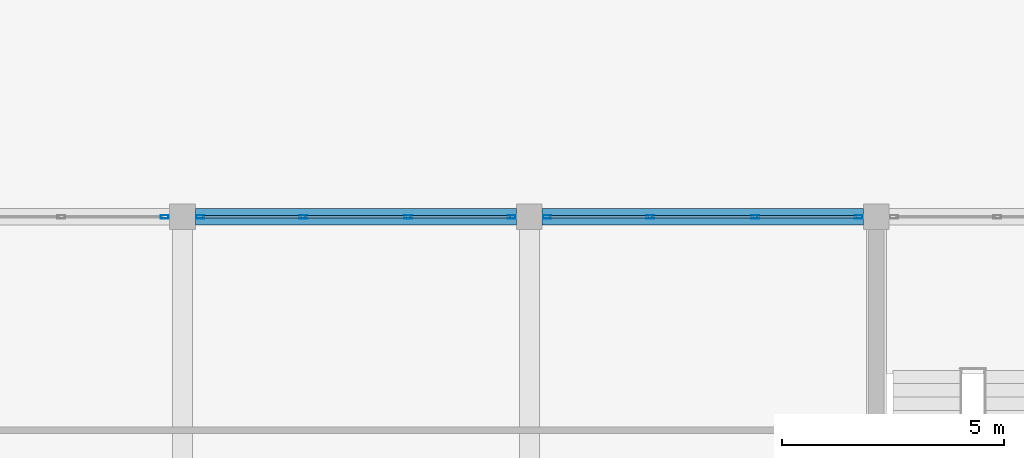
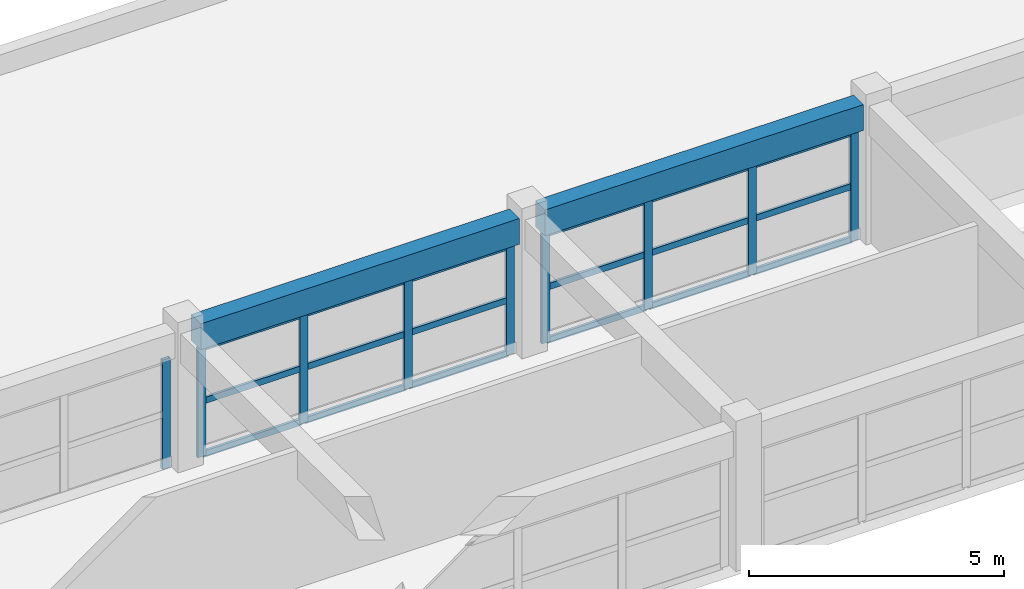
# One storey, part 71 of 101: 27 members, 2 beams, 3 elements without a shape of their own.
"""IFC4 building model written with IfcOpenShell, lengths in metres."""

from ifc_helpers import new_model, si_unit, direction, frame, origin, origin_2d, place, context, subcontext, project, spatial, rectangle, hollow_rectangle, extrude, material, layer, layer_set, material_profile, profile_set, type_object, element, aggregate, save


model = new_model("IFC4")

# Units and contexts
model_context = context("Model", 3, precision=1e-05, world=origin(), true_north=direction((0.0, 1.0)))
body_context = subcontext(model_context, "Body", "Model", "MODEL_VIEW")
ifc_project = project(units=[si_unit("LENGTHUNIT", "METRE"), si_unit("AREAUNIT", "SQUARE_METRE"), si_unit("VOLUMEUNIT", "CUBIC_METRE"), si_unit("PLANEANGLEUNIT", "RADIAN"), si_unit("MASSUNIT", "GRAM", prefix="KILO")], contexts=[model_context])

# Site, building, storey
site_placement = place(None, origin())
site = spatial("IfcSite", under=ifc_project, at=site_placement, CompositionType="ELEMENT")
building_placement = place(site_placement, origin())
building = spatial("IfcBuilding", under=site, at=building_placement, Name="Zizhar Promenade General Hospital", CompositionType="ELEMENT")
storey_placement = place(building_placement, frame((0.0, 0.0, 14.39990234375)))
storey = spatial("IfcBuildingStorey", under=building, at=storey_placement, Name="L03", CompositionType="ELEMENT", Elevation=14.39990234375)

# Beams
ifc_material_1 = material(Name="Concrete C35/45", Category="concrete")
ifc_material_profile_1 = material_profile(ifc_material_1, rectangle(XDim=0.3798828125, YDim=0.6201171875, at=origin_2d()))
ifc_profile_set_1 = profile_set([ifc_material_profile_1], Name="Concrete C35/45")
beam_type = type_object("IfcBeamType", Name="BM-RC-380x620", PredefinedType="JOIST", material=ifc_profile_set_1)
for number, where, z_axis, x_axis, name in (
    (1, (156.2900390625, 100.800048828125, 3.0), (1.0, 0.0, 0.0), (0.0, 1.0, 0.0), "Grid Beam X L03 (20-12)"),
    (2, (164.090087890625, 100.800048828125, 3.0), (1.0, 0.0, 0.0), (0.0, 1.0, 0.0), "Grid Beam X L03 (21-12)"),
):
    element("IfcBeam", number, at=place(storey_placement, frame(where, z_axis=z_axis, x_axis=x_axis)), inside=storey, type_object=beam_type, Name=name, PredefinedType="JOIST", context=body_context, shape_type="SweptSolid", body=[
        extrude(rectangle(XDim=0.3798828125, YDim=0.6201171875, at=origin_2d()), origin(), (0.0, 0.0, 1.0), 7.219970703125),
    ])

# Curtain wall, member
ifc_material_2 = material(Name="Anodised aluminium 6063-T6 and low-E glass", Category="aluminium")
ifc_layer = layer(ifc_material_2, 0.159912109375)
ifc_layer_set = layer_set([ifc_layer], Name="Anodised aluminium 6063-T6 and low-E glass")
curtain_wall_type = type_object("IfcCurtainWallType", Name="CW-CLN-L03", PredefinedType="NOTDEFINED", material=ifc_layer_set)
curtain_wall_1_placement = place(storey_placement, origin())
curtain_wall_1 = element("IfcCurtainWall", 3, at=curtain_wall_1_placement, inside=storey, type_object=curtain_wall_type, Name="L03 Clinic Pavilion North Glazing 19", PredefinedType="NOTDEFINED")
ifc_material_3 = material(Name="Anodised aluminium 6063-T6", Category="aluminium")
ifc_material_profile_2 = material_profile(ifc_material_3, hollow_rectangle(XDim=0.080078125, YDim=0.179931640625, WallThickness=0.0048828125, at=origin_2d()))
ifc_profile_set_2 = profile_set([ifc_material_profile_2], Name="Anodised aluminium 6063-T6")
member_type_1 = type_object("IfcMemberType", Name="CWM-ALU-180x80", PredefinedType="MULLION", material=ifc_profile_set_2)
member_1_placement = place(storey_placement, frame((155.60009765625, 100.800048828125, 0.0), z_axis=(0.0, 0.0, 1.0), x_axis=(0.0, 1.0, 0.0)))
member_1 = element("IfcMember", 4, at=member_1_placement, type_object=member_type_1, Name="CW-11 mullion 4", PredefinedType="MULLION", context=body_context, shape_type="SweptSolid", body=[
    extrude(hollow_rectangle(XDim=0.080078125, YDim=0.179931640625, WallThickness=0.0048828125, at=origin_2d()), origin(), (0.0, 0.0, 1.0), 2.6201171875),
])
aggregate(curtain_wall_1, [member_1])

# Curtain wall, members
curtain_wall_2_placement = place(storey_placement, origin())
curtain_wall_2 = element("IfcCurtainWall", 5, at=curtain_wall_2_placement, inside=storey, type_object=curtain_wall_type, Name="L03 Clinic Pavilion North Glazing 20", PredefinedType="NOTDEFINED")
member_2_placement = place(storey_placement, frame((156.39990234375, 100.800048828125, 0.0), z_axis=(0.0, 0.0, 1.0), x_axis=(0.0, 1.0, 0.0)))
member_2 = element("IfcMember", 6, at=member_2_placement, type_object=member_type_1, Name="CW-11 mullion 1", PredefinedType="MULLION", context=body_context, shape_type="SweptSolid", body=[
    extrude(hollow_rectangle(XDim=0.080078125, YDim=0.179931640625, WallThickness=0.0048828125, at=origin_2d()), origin(), (0.0, 0.0, 1.0), 2.6201171875),
])
member_3_placement = place(storey_placement, frame((158.719970703125, 100.800048828125, 0.0), z_axis=(0.0, 0.0, 1.0), x_axis=(0.0, 1.0, 0.0)))
member_3 = element("IfcMember", 7, at=member_3_placement, type_object=member_type_1, Name="CW-11 mullion 2", PredefinedType="MULLION", context=body_context, shape_type="SweptSolid", body=[
    extrude(hollow_rectangle(XDim=0.080078125, YDim=0.179931640625, WallThickness=0.0048828125, at=origin_2d()), origin(), (0.0, 0.0, 1.0), 2.6201171875),
])
member_4_placement = place(storey_placement, frame((161.080078125, 100.800048828125, 0.0), z_axis=(0.0, 0.0, 1.0), x_axis=(0.0, 1.0, 0.0)))
member_4 = element("IfcMember", 8, at=member_4_placement, type_object=member_type_1, Name="CW-11 mullion 3", PredefinedType="MULLION", context=body_context, shape_type="SweptSolid", body=[
    extrude(hollow_rectangle(XDim=0.080078125, YDim=0.179931640625, WallThickness=0.0048828125, at=origin_2d()), origin(), (0.0, 0.0, 1.0), 2.6201171875),
])
member_5_placement = place(storey_placement, frame((163.39990234375, 100.800048828125, 0.0), z_axis=(0.0, 0.0, 1.0), x_axis=(0.0, 1.0, 0.0)))
member_5 = element("IfcMember", 9, at=member_5_placement, type_object=member_type_1, Name="CW-11 mullion 4", PredefinedType="MULLION", context=body_context, shape_type="SweptSolid", body=[
    extrude(hollow_rectangle(XDim=0.080078125, YDim=0.179931640625, WallThickness=0.0048828125, at=origin_2d()), origin(), (0.0, 0.0, 1.0), 2.6201171875),
])

curtain_wall_3_placement = place(storey_placement, origin())
curtain_wall_3 = element("IfcCurtainWall", 10, at=curtain_wall_3_placement, inside=storey, type_object=curtain_wall_type, Name="L03 Clinic Pavilion North Glazing 21", PredefinedType="NOTDEFINED")
member_6_placement = place(storey_placement, frame((164.199951171875, 100.800048828125, 0.0), z_axis=(0.0, 0.0, 1.0), x_axis=(0.0, 1.0, 0.0)))
member_6 = element("IfcMember", 11, at=member_6_placement, type_object=member_type_1, Name="CW-11 mullion 1", PredefinedType="MULLION", context=body_context, shape_type="SweptSolid", body=[
    extrude(hollow_rectangle(XDim=0.080078125, YDim=0.179931640625, WallThickness=0.0048828125, at=origin_2d()), origin(), (0.0, 0.0, 1.0), 2.6201171875),
])
member_7_placement = place(storey_placement, frame((166.52001953125, 100.800048828125, 0.0), z_axis=(0.0, 0.0, 1.0), x_axis=(0.0, 1.0, 0.0)))
member_7 = element("IfcMember", 12, at=member_7_placement, type_object=member_type_1, Name="CW-11 mullion 2", PredefinedType="MULLION", context=body_context, shape_type="SweptSolid", body=[
    extrude(hollow_rectangle(XDim=0.080078125, YDim=0.179931640625, WallThickness=0.0048828125, at=origin_2d()), origin(), (0.0, 0.0, 1.0), 2.6201171875),
])
member_8_placement = place(storey_placement, frame((168.8798828125, 100.800048828125, 0.0), z_axis=(0.0, 0.0, 1.0), x_axis=(0.0, 1.0, 0.0)))
member_8 = element("IfcMember", 13, at=member_8_placement, type_object=member_type_1, Name="CW-11 mullion 3", PredefinedType="MULLION", context=body_context, shape_type="SweptSolid", body=[
    extrude(hollow_rectangle(XDim=0.080078125, YDim=0.179931640625, WallThickness=0.0048828125, at=origin_2d()), origin(), (0.0, 0.0, 1.0), 2.6201171875),
])
member_9_placement = place(storey_placement, frame((171.199951171875, 100.800048828125, 0.0), z_axis=(0.0, 0.0, 1.0), x_axis=(0.0, 1.0, 0.0)))
member_9 = element("IfcMember", 14, at=member_9_placement, type_object=member_type_1, Name="CW-11 mullion 4", PredefinedType="MULLION", context=body_context, shape_type="SweptSolid", body=[
    extrude(hollow_rectangle(XDim=0.080078125, YDim=0.179931640625, WallThickness=0.0048828125, at=origin_2d()), origin(), (0.0, 0.0, 1.0), 2.6201171875),
])

# Member
ifc_material_4 = material(Name="Anodised aluminium 6063-T6", Category="aluminium")
ifc_material_profile_3 = material_profile(ifc_material_4, hollow_rectangle(XDim=0.06005859375, YDim=0.14990234375, WallThickness=0.00390625, at=origin_2d()))
ifc_profile_set_3 = profile_set([ifc_material_profile_3], Name="Anodised aluminium 6063-T6")
member_type_2 = type_object("IfcMemberType", Name="CWT-ALU-150x60", PredefinedType="USERDEFINED", material=ifc_profile_set_3)
member_10_placement = place(storey_placement, frame((156.43994140625, 100.800048828125, 0.030029296875), z_axis=(1.0, 0.0, 0.0), x_axis=(0.0, 1.0, 0.0)))
member_10 = element("IfcMember", 15, at=member_10_placement, type_object=member_type_2, Name="CW-11 transom 1.1", ObjectType="TRANSOM", PredefinedType="USERDEFINED", context=body_context, shape_type="SweptSolid", body=[
    extrude(hollow_rectangle(XDim=0.06005859375, YDim=0.14990234375, WallThickness=0.00390625, at=origin_2d()), origin(), (0.0, 0.0, 1.0), 2.239990234375),
])

member_11_placement = place(storey_placement, frame((156.43994140625, 100.800048828125, 1.31005859375), z_axis=(1.0, 0.0, 0.0), x_axis=(0.0, 1.0, 0.0)))
member_11 = element("IfcMember", 16, at=member_11_placement, type_object=member_type_2, Name="CW-11 transom 1.2", ObjectType="TRANSOM", PredefinedType="USERDEFINED", context=body_context, shape_type="SweptSolid", body=[
    extrude(hollow_rectangle(XDim=0.06005859375, YDim=0.14990234375, WallThickness=0.00390625, at=origin_2d()), origin(), (0.0, 0.0, 1.0), 2.239990234375),
])

member_12_placement = place(storey_placement, frame((156.43994140625, 100.800048828125, 2.590087890625), z_axis=(1.0, 0.0, 0.0), x_axis=(0.0, 1.0, 0.0)))
member_12 = element("IfcMember", 17, at=member_12_placement, type_object=member_type_2, Name="CW-11 transom 1.3", ObjectType="TRANSOM", PredefinedType="USERDEFINED", context=body_context, shape_type="SweptSolid", body=[
    extrude(hollow_rectangle(XDim=0.06005859375, YDim=0.14990234375, WallThickness=0.00390625, at=origin_2d()), origin(), (0.0, 0.0, 1.0), 2.239990234375),
])

member_13_placement = place(storey_placement, frame((158.760009765625, 100.800048828125, 0.030029296875), z_axis=(1.0, 0.0, 0.0), x_axis=(0.0, 1.0, 0.0)))
member_13 = element("IfcMember", 18, at=member_13_placement, type_object=member_type_2, Name="CW-11 transom 2.1", ObjectType="TRANSOM", PredefinedType="USERDEFINED", context=body_context, shape_type="SweptSolid", body=[
    extrude(hollow_rectangle(XDim=0.06005859375, YDim=0.14990234375, WallThickness=0.00390625, at=origin_2d()), origin(), (0.0, 0.0, 1.0), 2.280029296875),
])

member_14_placement = place(storey_placement, frame((158.760009765625, 100.800048828125, 1.31005859375), z_axis=(1.0, 0.0, 0.0), x_axis=(0.0, 1.0, 0.0)))
member_14 = element("IfcMember", 19, at=member_14_placement, type_object=member_type_2, Name="CW-11 transom 2.2", ObjectType="TRANSOM", PredefinedType="USERDEFINED", context=body_context, shape_type="SweptSolid", body=[
    extrude(hollow_rectangle(XDim=0.06005859375, YDim=0.14990234375, WallThickness=0.00390625, at=origin_2d()), origin(), (0.0, 0.0, 1.0), 2.280029296875),
])

member_15_placement = place(storey_placement, frame((158.760009765625, 100.800048828125, 2.590087890625), z_axis=(1.0, 0.0, 0.0), x_axis=(0.0, 1.0, 0.0)))
member_15 = element("IfcMember", 20, at=member_15_placement, type_object=member_type_2, Name="CW-11 transom 2.3", ObjectType="TRANSOM", PredefinedType="USERDEFINED", context=body_context, shape_type="SweptSolid", body=[
    extrude(hollow_rectangle(XDim=0.06005859375, YDim=0.14990234375, WallThickness=0.00390625, at=origin_2d()), origin(), (0.0, 0.0, 1.0), 2.280029296875),
])

member_16_placement = place(storey_placement, frame((161.1201171875, 100.800048828125, 0.030029296875), z_axis=(1.0, 0.0, 0.0), x_axis=(0.0, 1.0, 0.0)))
member_16 = element("IfcMember", 21, at=member_16_placement, type_object=member_type_2, Name="CW-11 transom 3.1", ObjectType="TRANSOM", PredefinedType="USERDEFINED", context=body_context, shape_type="SweptSolid", body=[
    extrude(hollow_rectangle(XDim=0.06005859375, YDim=0.14990234375, WallThickness=0.00390625, at=origin_2d()), origin(), (0.0, 0.0, 1.0), 2.239990234375),
])

member_17_placement = place(storey_placement, frame((161.1201171875, 100.800048828125, 1.31005859375), z_axis=(1.0, 0.0, 0.0), x_axis=(0.0, 1.0, 0.0)))
member_17 = element("IfcMember", 22, at=member_17_placement, type_object=member_type_2, Name="CW-11 transom 3.2", ObjectType="TRANSOM", PredefinedType="USERDEFINED", context=body_context, shape_type="SweptSolid", body=[
    extrude(hollow_rectangle(XDim=0.06005859375, YDim=0.14990234375, WallThickness=0.00390625, at=origin_2d()), origin(), (0.0, 0.0, 1.0), 2.239990234375),
])

member_18_placement = place(storey_placement, frame((161.1201171875, 100.800048828125, 2.590087890625), z_axis=(1.0, 0.0, 0.0), x_axis=(0.0, 1.0, 0.0)))
member_18 = element("IfcMember", 23, at=member_18_placement, type_object=member_type_2, Name="CW-11 transom 3.3", ObjectType="TRANSOM", PredefinedType="USERDEFINED", context=body_context, shape_type="SweptSolid", body=[
    extrude(hollow_rectangle(XDim=0.06005859375, YDim=0.14990234375, WallThickness=0.00390625, at=origin_2d()), origin(), (0.0, 0.0, 1.0), 2.239990234375),
])

aggregate(curtain_wall_2, [member_2, member_3, member_4, member_5, member_10, member_11, member_12, member_13, member_14, member_15, member_16, member_17, member_18])

member_19_placement = place(storey_placement, frame((164.239990234375, 100.800048828125, 0.030029296875), z_axis=(1.0, 0.0, 0.0), x_axis=(0.0, 1.0, 0.0)))
member_19 = element("IfcMember", 24, at=member_19_placement, type_object=member_type_2, Name="CW-11 transom 1.1", ObjectType="TRANSOM", PredefinedType="USERDEFINED", context=body_context, shape_type="SweptSolid", body=[
    extrude(hollow_rectangle(XDim=0.06005859375, YDim=0.14990234375, WallThickness=0.00390625, at=origin_2d()), origin(), (0.0, 0.0, 1.0), 2.239990234375),
])

member_20_placement = place(storey_placement, frame((164.239990234375, 100.800048828125, 1.31005859375), z_axis=(1.0, 0.0, 0.0), x_axis=(0.0, 1.0, 0.0)))
member_20 = element("IfcMember", 25, at=member_20_placement, type_object=member_type_2, Name="CW-11 transom 1.2", ObjectType="TRANSOM", PredefinedType="USERDEFINED", context=body_context, shape_type="SweptSolid", body=[
    extrude(hollow_rectangle(XDim=0.06005859375, YDim=0.14990234375, WallThickness=0.00390625, at=origin_2d()), origin(), (0.0, 0.0, 1.0), 2.239990234375),
])

member_21_placement = place(storey_placement, frame((164.239990234375, 100.800048828125, 2.590087890625), z_axis=(1.0, 0.0, 0.0), x_axis=(0.0, 1.0, 0.0)))
member_21 = element("IfcMember", 26, at=member_21_placement, type_object=member_type_2, Name="CW-11 transom 1.3", ObjectType="TRANSOM", PredefinedType="USERDEFINED", context=body_context, shape_type="SweptSolid", body=[
    extrude(hollow_rectangle(XDim=0.06005859375, YDim=0.14990234375, WallThickness=0.00390625, at=origin_2d()), origin(), (0.0, 0.0, 1.0), 2.239990234375),
])

member_22_placement = place(storey_placement, frame((166.56005859375, 100.800048828125, 0.030029296875), z_axis=(1.0, 0.0, 0.0), x_axis=(0.0, 1.0, 0.0)))
member_22 = element("IfcMember", 27, at=member_22_placement, type_object=member_type_2, Name="CW-11 transom 2.1", ObjectType="TRANSOM", PredefinedType="USERDEFINED", context=body_context, shape_type="SweptSolid", body=[
    extrude(hollow_rectangle(XDim=0.06005859375, YDim=0.14990234375, WallThickness=0.00390625, at=origin_2d()), origin(), (0.0, 0.0, 1.0), 2.280029296875),
])

member_23_placement = place(storey_placement, frame((166.56005859375, 100.800048828125, 1.31005859375), z_axis=(1.0, 0.0, 0.0), x_axis=(0.0, 1.0, 0.0)))
member_23 = element("IfcMember", 28, at=member_23_placement, type_object=member_type_2, Name="CW-11 transom 2.2", ObjectType="TRANSOM", PredefinedType="USERDEFINED", context=body_context, shape_type="SweptSolid", body=[
    extrude(hollow_rectangle(XDim=0.06005859375, YDim=0.14990234375, WallThickness=0.00390625, at=origin_2d()), origin(), (0.0, 0.0, 1.0), 2.280029296875),
])

member_24_placement = place(storey_placement, frame((166.56005859375, 100.800048828125, 2.590087890625), z_axis=(1.0, 0.0, 0.0), x_axis=(0.0, 1.0, 0.0)))
member_24 = element("IfcMember", 29, at=member_24_placement, type_object=member_type_2, Name="CW-11 transom 2.3", ObjectType="TRANSOM", PredefinedType="USERDEFINED", context=body_context, shape_type="SweptSolid", body=[
    extrude(hollow_rectangle(XDim=0.06005859375, YDim=0.14990234375, WallThickness=0.00390625, at=origin_2d()), origin(), (0.0, 0.0, 1.0), 2.280029296875),
])

member_25_placement = place(storey_placement, frame((168.919921875, 100.800048828125, 0.030029296875), z_axis=(1.0, 0.0, 0.0), x_axis=(0.0, 1.0, 0.0)))
member_25 = element("IfcMember", 30, at=member_25_placement, type_object=member_type_2, Name="CW-11 transom 3.1", ObjectType="TRANSOM", PredefinedType="USERDEFINED", context=body_context, shape_type="SweptSolid", body=[
    extrude(hollow_rectangle(XDim=0.06005859375, YDim=0.14990234375, WallThickness=0.00390625, at=origin_2d()), origin(), (0.0, 0.0, 1.0), 2.239990234375),
])

member_26_placement = place(storey_placement, frame((168.919921875, 100.800048828125, 1.31005859375), z_axis=(1.0, 0.0, 0.0), x_axis=(0.0, 1.0, 0.0)))
member_26 = element("IfcMember", 31, at=member_26_placement, type_object=member_type_2, Name="CW-11 transom 3.2", ObjectType="TRANSOM", PredefinedType="USERDEFINED", context=body_context, shape_type="SweptSolid", body=[
    extrude(hollow_rectangle(XDim=0.06005859375, YDim=0.14990234375, WallThickness=0.00390625, at=origin_2d()), origin(), (0.0, 0.0, 1.0), 2.239990234375),
])

member_27_placement = place(storey_placement, frame((168.919921875, 100.800048828125, 2.590087890625), z_axis=(1.0, 0.0, 0.0), x_axis=(0.0, 1.0, 0.0)))
member_27 = element("IfcMember", 32, at=member_27_placement, type_object=member_type_2, Name="CW-11 transom 3.3", ObjectType="TRANSOM", PredefinedType="USERDEFINED", context=body_context, shape_type="SweptSolid", body=[
    extrude(hollow_rectangle(XDim=0.06005859375, YDim=0.14990234375, WallThickness=0.00390625, at=origin_2d()), origin(), (0.0, 0.0, 1.0), 2.239990234375),
])

aggregate(curtain_wall_3, [member_6, member_7, member_8, member_9, member_19, member_20, member_21, member_22, member_23, member_24, member_25, member_26, member_27])

save(model, "model.ifc")
